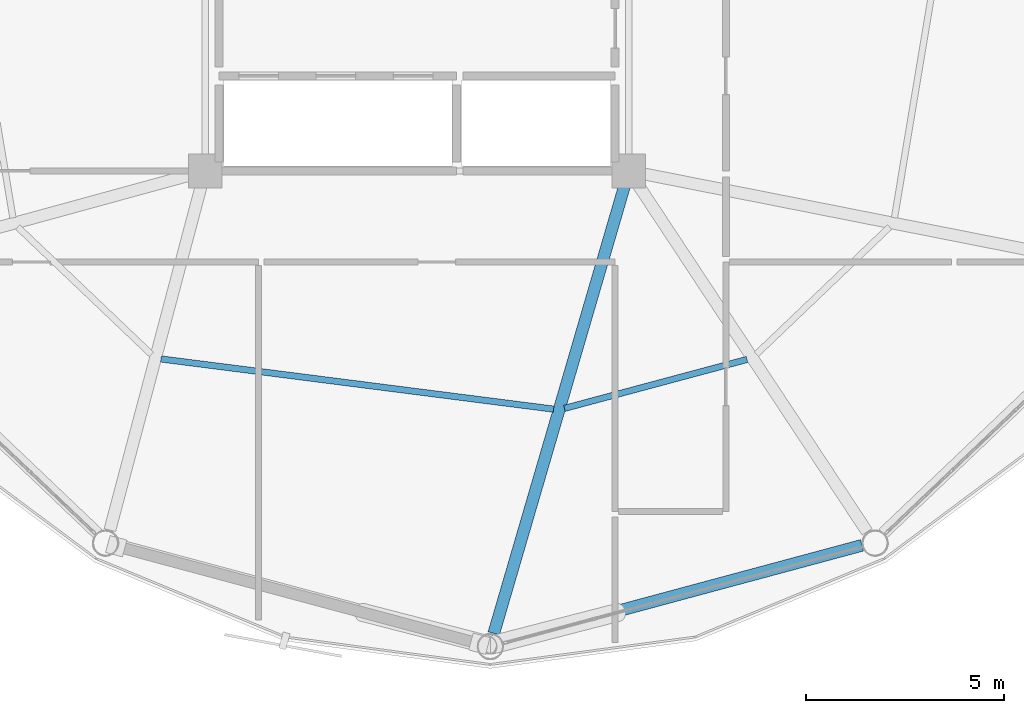
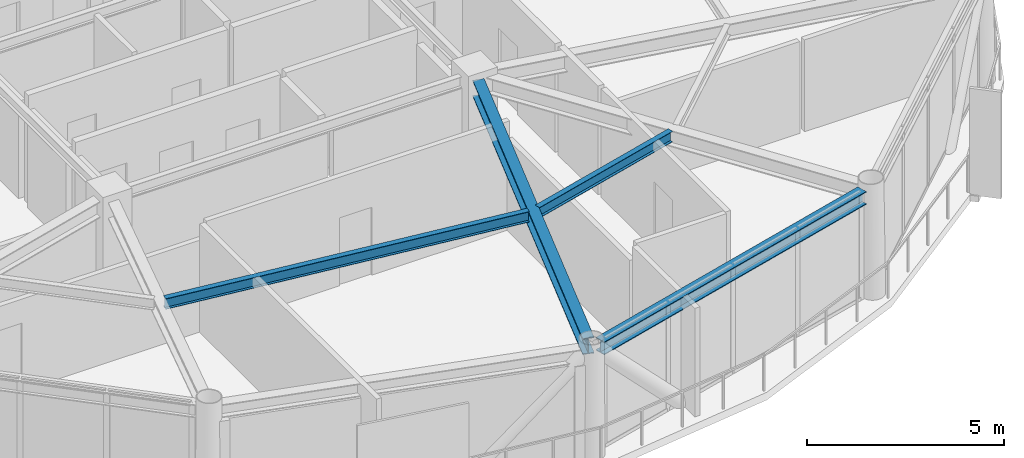
# One storey, part 9 of 29: 4 beams.
"""IFC4 building model written with IfcOpenShell, lengths in metres."""

from ifc_helpers import new_model, si_unit, direction, frame, origin, origin_2d, place, context, subcontext, project, spatial, i_section, extrude, material, material_profile, profile_set, type_object, element, save


model = new_model("IFC4")

# Units and contexts
model_context = context("Model", 3, precision=1e-05, world=origin(), true_north=direction((0.0, 1.0)))
body_context = subcontext(model_context, "Body", "Model", "MODEL_VIEW")
ifc_project = project(units=[si_unit("LENGTHUNIT", "METRE"), si_unit("AREAUNIT", "SQUARE_METRE"), si_unit("VOLUMEUNIT", "CUBIC_METRE"), si_unit("PLANEANGLEUNIT", "RADIAN"), si_unit("MASSUNIT", "GRAM", prefix="KILO")], contexts=[model_context])

# Site, building, storey
site_placement = place(None, origin())
site = spatial("IfcSite", under=ifc_project, at=site_placement, CompositionType="ELEMENT")
building_placement = place(site_placement, origin())
building = spatial("IfcBuilding", under=site, at=building_placement, Name="Varnakorn Sky Granary", CompositionType="ELEMENT")
storey_placement = place(building_placement, frame((0.0, 0.0, 189.60009765625)))
storey = spatial("IfcBuildingStorey", under=building, at=storey_placement, Name="L47", CompositionType="ELEMENT", Elevation=189.60009765625)

# Beams
ifc_material = material(Name="Steel S355JR", Category="steel")
ifc_material_profile_1 = material_profile(ifc_material, i_section(OverallWidth=0.300048828125, OverallDepth=0.5, WebThickness=0.014404296875, FlangeThickness=0.028076171875, at=origin_2d()), Name="HE 500 B")
ifc_profile_set_1 = profile_set([ifc_material_profile_1], Name="Steel S355JR")
beam_type_1 = type_object("IfcBeamType", Name="BM-RAD-Z4", PredefinedType="BEAM", material=ifc_profile_set_1)
beam_1_placement = place(storey_placement, frame((8.236328125, -6.98876953125, 3.10986328125), z_axis=(-0.280410470921, -0.959880184084, 0.0), x_axis=(0.959880184084, -0.280410470921, 0.0)))
element("IfcBeam", 1, at=beam_1_placement, inside=storey, type_object=beam_type_1, Name="Radial Floor Girder RG10 L47", PredefinedType="BEAM", context=body_context, shape_type="SweptSolid", body=[
    extrude(i_section(OverallWidth=0.300048828125, OverallDepth=0.5, WebThickness=0.014404296875, FlangeThickness=0.028076171875, at=origin_2d()), origin(), (0.0, 0.0, 1.0), 11.76171875),
])
ifc_material_profile_2 = material_profile(ifc_material, i_section(OverallWidth=0.159912109375, OverallDepth=0.330078125, WebThickness=0.007568359375, FlangeThickness=0.011474609375, at=origin_2d()), Name="IPE 330")
ifc_profile_set_2 = profile_set([ifc_material_profile_2], Name="Steel S355JR")
beam_type_2 = type_object("IfcBeamType", Name="BM-SEC-Z4", PredefinedType="BEAM", material=ifc_profile_set_2)
beam_2_placement = place(storey_placement, frame((-3.466796875, -11.3486328125, 3.19482421875), z_axis=(0.991930250413, -0.126784771622, 0.0), x_axis=(0.126784771622, 0.991930250413, 0.0)))
element("IfcBeam", 2, at=beam_2_placement, inside=storey, type_object=beam_type_2, Name="Secondary Floor Chord Beam MSB09 L47", PredefinedType="BEAM", context=body_context, shape_type="SweptSolid", body=[
    extrude(i_section(OverallWidth=0.159912109375, OverallDepth=0.330078125, WebThickness=0.007568359375, FlangeThickness=0.011474609375, at=origin_2d()), origin(), (0.0, 0.0, 1.0), 9.995849609375),
])
beam_3_placement = place(storey_placement, frame((6.72265625, -12.597412109375, 3.19482421875), z_axis=(0.965880914202, 0.258986601161, 0.0), x_axis=(-0.258986601161, 0.965880914202, 0.0)))
element("IfcBeam", 3, at=beam_3_placement, inside=storey, type_object=beam_type_2, Name="Secondary Floor Chord Beam MSB10 L47", PredefinedType="BEAM", context=body_context, shape_type="SweptSolid", body=[
    extrude(i_section(OverallWidth=0.159912109375, OverallDepth=0.330078125, WebThickness=0.007568359375, FlangeThickness=0.011474609375, at=origin_2d()), origin(), (0.0, 0.0, 1.0), 4.773681640625),
])
ifc_material_profile_3 = material_profile(ifc_material, i_section(OverallWidth=0.300048828125, OverallDepth=0.39990234375, WebThickness=0.013427734375, FlangeThickness=0.02392578125, at=origin_2d()), Name="HE 400 B")
ifc_profile_set_3 = profile_set([ifc_material_profile_3], Name="Steel S355JR")
beam_type_3 = type_object("IfcBeamType", Name="BM-SPD-Z4", PredefinedType="SPANDREL", material=ifc_profile_set_3)
beam_4_placement = place(storey_placement, frame((5.154296875, -18.499267578125, 3.159912109375), z_axis=(0.965659367077, 0.259811444662, 0.0), x_axis=(-0.259811444662, 0.965659367077, 0.0)))
element("IfcBeam", 4, at=beam_4_placement, inside=storey, type_object=beam_type_3, Name="Perimeter Spandrel Ring Beam RB10 L47", PredefinedType="SPANDREL", context=body_context, shape_type="SweptSolid", body=[
    extrude(i_section(OverallWidth=0.300048828125, OverallDepth=0.39990234375, WebThickness=0.013427734375, FlangeThickness=0.02392578125, at=origin_2d()), origin(), (0.0, 0.0, 1.0), 9.402587890625),
])

save(model, "model.ifc")
